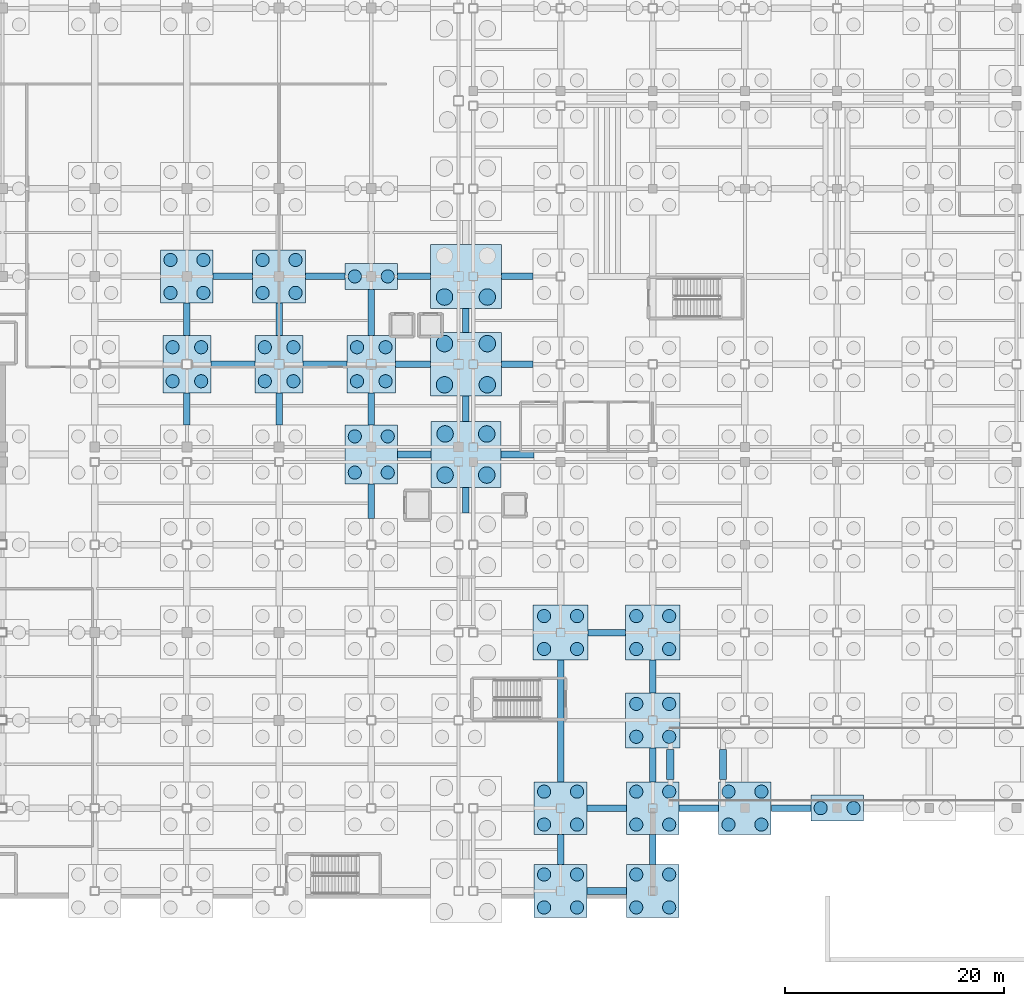
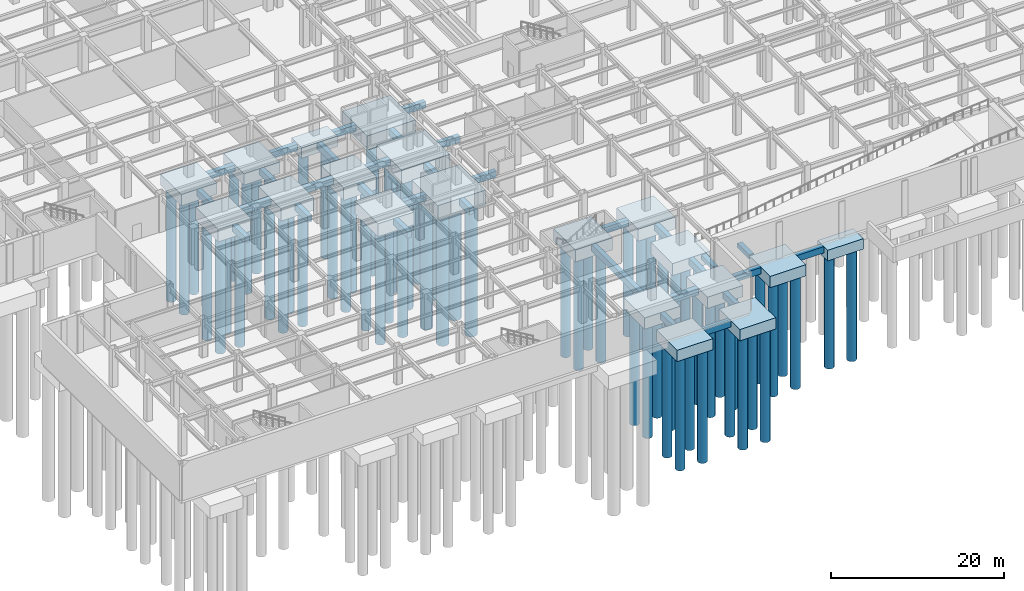
# One storey, part 3 of 55: 70 piles, 51 footings.
"""IFC4 building model written with IfcOpenShell, lengths in metres."""

from ifc_helpers import new_model, si_unit, direction, frame, origin, origin_2d, place, context, subcontext, project, spatial, polyline, rectangle, circle, outline, extrude, material, layer, layer_set, material_profile, profile_set, type_object, element, save


model = new_model("IFC4")

# Units and contexts
model_context = context("Model", 3, precision=1e-05, world=origin(), true_north=direction((0.0, 1.0)))
body_context = subcontext(model_context, "Body", "Model", "MODEL_VIEW")
ifc_project = project(units=[si_unit("LENGTHUNIT", "METRE"), si_unit("AREAUNIT", "SQUARE_METRE"), si_unit("VOLUMEUNIT", "CUBIC_METRE"), si_unit("PLANEANGLEUNIT", "RADIAN"), si_unit("MASSUNIT", "GRAM", prefix="KILO")], contexts=[model_context])

# Site, building, storey
site_placement = place(None, origin())
site = spatial("IfcSite", under=ifc_project, at=site_placement, CompositionType="ELEMENT")
building_placement = place(site_placement, origin())
building = spatial("IfcBuilding", under=site, at=building_placement, Name="Kazehara Bluff Congress Hotel", CompositionType="ELEMENT")
storey_placement = place(building_placement, frame((0.0, 0.0, -5.39990234375)))
storey = spatial("IfcBuildingStorey", under=building, at=storey_placement, Name="B1", CompositionType="ELEMENT", Elevation=-5.39990234375)

# Footings
ifc_material_1 = material(Name="Concrete C36/45", Category="concrete")
ifc_material_profile_1 = material_profile(ifc_material_1, rectangle(XDim=0.60009765625, YDim=0.89990234375, at=origin_2d()))
ifc_profile_set_1 = profile_set([ifc_material_profile_1], Name="Concrete C36/45")
footing_type_1 = type_object("IfcFootingType", Name="TP-FB-01", PredefinedType="FOOTING_BEAM", material=ifc_profile_set_1)
for number, where, z_axis, x_axis, name in (
    (1, (70.050048828125, 0.449951171875, -0.9501953125), (1.0, 0.0, 0.0), (0.0, 1.0, 0.0), "Foundation tie beam FB-01 5"),
    (2, (70.050048828125, 8.0, -0.9501953125), (1.0, 0.0, 0.0), (0.0, 1.0, 0.0), "Foundation tie beam FB-01 16"),
):
    element("IfcFooting", number, at=place(storey_placement, frame(where, z_axis=z_axis, x_axis=x_axis)), inside=storey, type_object=footing_type_1, Name=name, PredefinedType="FOOTING_BEAM", context=body_context, shape_type="SweptSolid", body=[
        extrude(rectangle(XDim=0.60009765625, YDim=0.89990234375, at=origin_2d()), origin(), (0.0, 0.0, 1.0), 3.599853515625),
    ])
footing_1_placement = place(storey_placement, frame((78.449951171875, 8.0, -0.9501953125), z_axis=(1.0, 0.0, 0.0), x_axis=(0.0, 1.0, 0.0)))
element("IfcFooting", 3, at=footing_1_placement, inside=storey, type_object=footing_type_1, Name="Foundation tie beam FB-01 17", PredefinedType="FOOTING_BEAM", context=body_context, shape_type="SweptSolid", body=[
    extrude(rectangle(XDim=0.60009765625, YDim=0.89990234375, at=origin_2d()), origin(), (0.0, 0.0, 1.0), 3.60009765625),
])
footing_2_placement = place(storey_placement, frame((86.85009765625, 8.0, -0.9501953125), z_axis=(1.0, 0.0, 0.0), x_axis=(0.0, 1.0, 0.0)))
element("IfcFooting", 4, at=footing_2_placement, inside=storey, type_object=footing_type_1, Name="Foundation tie beam FB-01 18", PredefinedType="FOOTING_BEAM", context=body_context, shape_type="SweptSolid", body=[
    extrude(rectangle(XDim=0.60009765625, YDim=0.89990234375, at=origin_2d()), origin(), (0.0, 0.0, 1.0), 3.599853515625),
])
footing_3_placement = place(storey_placement, frame((70.14990234375, 24.0, -0.9501953125), z_axis=(1.0, 0.0, 0.0), x_axis=(0.0, 1.0, 0.0)))
element("IfcFooting", 5, at=footing_3_placement, inside=storey, type_object=footing_type_1, Name="Foundation tie beam FB-01 52", PredefinedType="FOOTING_BEAM", context=body_context, shape_type="SweptSolid", body=[
    extrude(rectangle(XDim=0.60009765625, YDim=0.89990234375, at=origin_2d()), origin(), (0.0, 0.0, 1.0), 3.400146484375),
])
for number, where, z_axis, x_axis, name in (
    (6, (52.800048828125, 40.22509765625, -0.9501953125), (1.0, 0.0, 0.0), (0.0, 1.0, 0.0), "Foundation tie beam FB-01 87"),
    (7, (62.22509765625, 40.22509765625, -0.9501953125), (1.0, 0.0, 0.0), (0.0, 1.0, 0.0), "Foundation tie beam FB-01 88"),
):
    element("IfcFooting", number, at=place(storey_placement, frame(where, z_axis=z_axis, x_axis=x_axis)), inside=storey, type_object=footing_type_1, Name=name, PredefinedType="FOOTING_BEAM", context=body_context, shape_type="SweptSolid", body=[
        extrude(rectangle(XDim=0.60009765625, YDim=0.89990234375, at=origin_2d()), origin(), (0.0, 0.0, 1.0), 3.02490234375),
    ])
for number, where, z_axis, x_axis, name in (
    (8, (35.800048828125, 48.449951171875, -0.9501953125), (1.0, 0.0, 0.0), (0.0, 1.0, 0.0), "Foundation tie beam FB-01 102"),
    (9, (44.199951171875, 48.449951171875, -0.9501953125), (1.0, 0.0, 0.0), (0.0, 1.0, 0.0), "Foundation tie beam FB-01 103"),
):
    element("IfcFooting", number, at=place(storey_placement, frame(where, z_axis=z_axis, x_axis=x_axis)), inside=storey, type_object=footing_type_1, Name=name, PredefinedType="FOOTING_BEAM", context=body_context, shape_type="SweptSolid", body=[
        extrude(rectangle(XDim=0.60009765625, YDim=0.89990234375, at=origin_2d()), origin(), (0.0, 0.0, 1.0), 4.0),
    ])
footing_4_placement = place(storey_placement, frame((52.60009765625, 48.449951171875, -0.9501953125), z_axis=(1.0, 0.0, 0.0), x_axis=(0.0, 1.0, 0.0)))
element("IfcFooting", 10, at=footing_4_placement, inside=storey, type_object=footing_type_1, Name="Foundation tie beam FB-01 104", PredefinedType="FOOTING_BEAM", context=body_context, shape_type="SweptSolid", body=[
    extrude(rectangle(XDim=0.60009765625, YDim=0.89990234375, at=origin_2d()), origin(), (0.0, 0.0, 1.0), 3.199951171875),
])
footing_5_placement = place(storey_placement, frame((62.25, 48.449951171875, -0.9501953125), z_axis=(1.0, 0.0, 0.0), x_axis=(0.0, 1.0, 0.0)))
element("IfcFooting", 11, at=footing_5_placement, inside=storey, type_object=footing_type_1, Name="Foundation tie beam FB-01 105", PredefinedType="FOOTING_BEAM", context=body_context, shape_type="SweptSolid", body=[
    extrude(rectangle(XDim=0.60009765625, YDim=0.89990234375, at=origin_2d()), origin(), (0.0, 0.0, 1.0), 2.89990234375),
])
for number, where, z_axis, x_axis, name in (
    (12, (36.0, 56.449951171875, -0.9501953125), (1.0, 0.0, 0.0), (0.0, 1.0, 0.0), "Foundation tie beam FB-01 118"),
    (13, (44.39990234375, 56.449951171875, -0.9501953125), (1.0, 0.0, 0.0), (0.0, 1.0, 0.0), "Foundation tie beam FB-01 119"),
):
    element("IfcFooting", number, at=place(storey_placement, frame(where, z_axis=z_axis, x_axis=x_axis)), inside=storey, type_object=footing_type_1, Name=name, PredefinedType="FOOTING_BEAM", context=body_context, shape_type="SweptSolid", body=[
        extrude(rectangle(XDim=0.60009765625, YDim=0.89990234375, at=origin_2d()), origin(), (0.0, 0.0, 1.0), 3.60009765625),
    ])
footing_6_placement = place(storey_placement, frame((52.800048828125, 56.449951171875, -0.9501953125), z_axis=(1.0, 0.0, 0.0), x_axis=(0.0, 1.0, 0.0)))
element("IfcFooting", 14, at=footing_6_placement, inside=storey, type_object=footing_type_1, Name="Foundation tie beam FB-01 120", PredefinedType="FOOTING_BEAM", context=body_context, shape_type="SweptSolid", body=[
    extrude(rectangle(XDim=0.60009765625, YDim=0.89990234375, at=origin_2d()), origin(), (0.0, 0.0, 1.0), 3.0),
])
footing_7_placement = place(storey_placement, frame((62.25, 56.449951171875, -0.9501953125), z_axis=(1.0, 0.0, 0.0), x_axis=(0.0, 1.0, 0.0)))
element("IfcFooting", 15, at=footing_7_placement, inside=storey, type_object=footing_type_1, Name="Foundation tie beam FB-01 121", PredefinedType="FOOTING_BEAM", context=body_context, shape_type="SweptSolid", body=[
    extrude(rectangle(XDim=0.60009765625, YDim=0.89990234375, at=origin_2d()), origin(), (0.0, 0.0, 1.0), 2.89990234375),
])
footing_8_placement = place(storey_placement, frame((33.60009765625, 42.925048828125, -0.9501953125), z_axis=(0.0, 1.0, 0.0), x_axis=(-1.0, 0.0, 0.0)))
element("IfcFooting", 16, at=footing_8_placement, inside=storey, type_object=footing_type_1, Name="Foundation tie beam FB-01 299", PredefinedType="FOOTING_BEAM", context=body_context, shape_type="SweptSolid", body=[
    extrude(rectangle(XDim=0.60009765625, YDim=0.89990234375, at=origin_2d()), origin(), (0.0, 0.0, 1.0), 2.925048828125),
])
footing_9_placement = place(storey_placement, frame((33.60009765625, 51.050048828125, -0.9501953125), z_axis=(0.0, 1.0, 0.0), x_axis=(-1.0, 0.0, 0.0)))
element("IfcFooting", 17, at=footing_9_placement, inside=storey, type_object=footing_type_1, Name="Foundation tie beam FB-01 300", PredefinedType="FOOTING_BEAM", context=body_context, shape_type="SweptSolid", body=[
    extrude(rectangle(XDim=0.60009765625, YDim=0.89990234375, at=origin_2d()), origin(), (0.0, 0.0, 1.0), 3.0),
])
footing_10_placement = place(storey_placement, frame((42.0, 42.925048828125, -0.9501953125), z_axis=(0.0, 1.0, 0.0), x_axis=(-1.0, 0.0, 0.0)))
element("IfcFooting", 18, at=footing_10_placement, inside=storey, type_object=footing_type_1, Name="Foundation tie beam FB-01 312", PredefinedType="FOOTING_BEAM", context=body_context, shape_type="SweptSolid", body=[
    extrude(rectangle(XDim=0.60009765625, YDim=0.89990234375, at=origin_2d()), origin(), (0.0, 0.0, 1.0), 2.925048828125),
])
footing_11_placement = place(storey_placement, frame((42.0, 51.050048828125, -0.9501953125), z_axis=(0.0, 1.0, 0.0), x_axis=(-1.0, 0.0, 0.0)))
element("IfcFooting", 19, at=footing_11_placement, inside=storey, type_object=footing_type_1, Name="Foundation tie beam FB-01 313", PredefinedType="FOOTING_BEAM", context=body_context, shape_type="SweptSolid", body=[
    extrude(rectangle(XDim=0.60009765625, YDim=0.89990234375, at=origin_2d()), origin(), (0.0, 0.0, 1.0), 3.0),
])
footing_12_placement = place(storey_placement, frame((50.39990234375, 34.39990234375, -0.9501953125), z_axis=(0.0, 1.0, 0.0), x_axis=(-1.0, 0.0, 0.0)))
element("IfcFooting", 20, at=footing_12_placement, inside=storey, type_object=footing_type_1, Name="Foundation tie beam FB-01 322", PredefinedType="FOOTING_BEAM", context=body_context, shape_type="SweptSolid", body=[
    extrude(rectangle(XDim=0.60009765625, YDim=0.89990234375, at=origin_2d()), origin(), (0.0, 0.0, 1.0), 3.125),
])
footing_13_placement = place(storey_placement, frame((50.39990234375, 42.925048828125, -0.9501953125), z_axis=(0.0, 1.0, 0.0), x_axis=(-1.0, 0.0, 0.0)))
element("IfcFooting", 21, at=footing_13_placement, inside=storey, type_object=footing_type_1, Name="Foundation tie beam FB-01 323", PredefinedType="FOOTING_BEAM", context=body_context, shape_type="SweptSolid", body=[
    extrude(rectangle(XDim=0.60009765625, YDim=0.89990234375, at=origin_2d()), origin(), (0.0, 0.0, 1.0), 2.925048828125),
])
footing_14_placement = place(storey_placement, frame((50.39990234375, 51.050048828125, -0.9501953125), z_axis=(0.0, 1.0, 0.0), x_axis=(-1.0, 0.0, 0.0)))
element("IfcFooting", 22, at=footing_14_placement, inside=storey, type_object=footing_type_1, Name="Foundation tie beam FB-01 324", PredefinedType="FOOTING_BEAM", context=body_context, shape_type="SweptSolid", body=[
    extrude(rectangle(XDim=0.60009765625, YDim=0.89990234375, at=origin_2d()), origin(), (0.0, 0.0, 1.0), 4.224853515625),
])
footing_15_placement = place(storey_placement, frame((59.02490234375, 34.89990234375, -0.9501953125), z_axis=(0.0, 1.0, 0.0), x_axis=(-1.0, 0.0, 0.0)))
element("IfcFooting", 23, at=footing_15_placement, inside=storey, type_object=footing_type_1, Name="Foundation tie beam FB-01 331", PredefinedType="FOOTING_BEAM", context=body_context, shape_type="SweptSolid", body=[
    extrude(rectangle(XDim=0.60009765625, YDim=0.89990234375, at=origin_2d()), origin(), (0.0, 0.0, 1.0), 2.3251953125),
])
footing_16_placement = place(storey_placement, frame((59.02490234375, 43.22509765625, -0.9501953125), z_axis=(0.0, 1.0, 0.0), x_axis=(-1.0, 0.0, 0.0)))
element("IfcFooting", 24, at=footing_16_placement, inside=storey, type_object=footing_type_1, Name="Foundation tie beam FB-01 332", PredefinedType="FOOTING_BEAM", context=body_context, shape_type="SweptSolid", body=[
    extrude(rectangle(XDim=0.60009765625, YDim=0.89990234375, at=origin_2d()), origin(), (0.0, 0.0, 1.0), 2.324951171875),
])
footing_17_placement = place(storey_placement, frame((59.02490234375, 51.35009765625, -0.9501953125), z_axis=(0.0, 1.0, 0.0), x_axis=(-1.0, 0.0, 0.0)))
element("IfcFooting", 25, at=footing_17_placement, inside=storey, type_object=footing_type_1, Name="Foundation tie beam FB-01 333", PredefinedType="FOOTING_BEAM", context=body_context, shape_type="SweptSolid", body=[
    extrude(rectangle(XDim=0.60009765625, YDim=0.89990234375, at=origin_2d()), origin(), (0.0, 0.0, 1.0), 2.199951171875),
])
footing_18_placement = place(storey_placement, frame((67.64990234375, 2.85009765625, -0.9501953125), z_axis=(0.0, 1.0, 0.0), x_axis=(-1.0, 0.0, 0.0)))
element("IfcFooting", 26, at=footing_18_placement, inside=storey, type_object=footing_type_1, Name="Foundation tie beam FB-01 338", PredefinedType="FOOTING_BEAM", context=body_context, shape_type="SweptSolid", body=[
    extrude(rectangle(XDim=0.60009765625, YDim=0.89990234375, at=origin_2d()), origin(), (0.0, 0.0, 1.0), 2.75),
])
footing_19_placement = place(storey_placement, frame((67.64990234375, 10.39990234375, -0.9501953125), z_axis=(0.0, 1.0, 0.0), x_axis=(-1.0, 0.0, 0.0)))
element("IfcFooting", 27, at=footing_19_placement, inside=storey, type_object=footing_type_1, Name="Foundation tie beam FB-01 339", PredefinedType="FOOTING_BEAM", context=body_context, shape_type="SweptSolid", body=[
    extrude(rectangle(XDim=0.60009765625, YDim=0.89990234375, at=origin_2d()), origin(), (0.0, 0.0, 1.0), 11.10009765625),
])
footing_20_placement = place(storey_placement, frame((76.050048828125, 2.85009765625, -0.9501953125), z_axis=(0.0, 1.0, 0.0), x_axis=(-1.0, 0.0, 0.0)))
element("IfcFooting", 28, at=footing_20_placement, inside=storey, type_object=footing_type_1, Name="Foundation tie beam FB-01 351", PredefinedType="FOOTING_BEAM", context=body_context, shape_type="SweptSolid", body=[
    extrude(rectangle(XDim=0.60009765625, YDim=0.89990234375, at=origin_2d()), origin(), (0.0, 0.0, 1.0), 2.75),
])
footing_21_placement = place(storey_placement, frame((76.050048828125, 10.39990234375, -0.9501953125), z_axis=(0.0, 1.0, 0.0), x_axis=(-1.0, 0.0, 0.0)))
element("IfcFooting", 29, at=footing_21_placement, inside=storey, type_object=footing_type_1, Name="Foundation tie beam FB-01 352", PredefinedType="FOOTING_BEAM", context=body_context, shape_type="SweptSolid", body=[
    extrude(rectangle(XDim=0.60009765625, YDim=0.89990234375, at=origin_2d()), origin(), (0.0, 0.0, 1.0), 3.10009765625),
])
footing_22_placement = place(storey_placement, frame((76.050048828125, 18.5, -0.9501953125), z_axis=(0.0, 1.0, 0.0), x_axis=(-1.0, 0.0, 0.0)))
element("IfcFooting", 30, at=footing_22_placement, inside=storey, type_object=footing_type_1, Name="Foundation tie beam FB-01 353", PredefinedType="FOOTING_BEAM", context=body_context, shape_type="SweptSolid", body=[
    extrude(rectangle(XDim=0.60009765625, YDim=0.89990234375, at=origin_2d()), origin(), (0.0, 0.0, 1.0), 3.0),
])
ifc_material_2 = material(Name="Concrete C36/45", Category="concrete")
ifc_layer_1 = layer(ifc_material_2, 1.5)
ifc_layer_set_1 = layer_set([ifc_layer_1], Name="Concrete C36/45")
footing_type_2 = type_object("IfcFootingType", Name="TP-PC-02", PredefinedType="PILE_CAP", material=ifc_layer_set_1)
for number, where, z_axis, x_axis, name in (
    (31, (50.39990234375, 56.449951171875, -2.0), (0.0, 0.0, 1.0), (1.0, 0.0, 0.0), "Pile cap PC-02 93"),
    (32, (92.85009765625, 8.0, -2.0), (0.0, 0.0, 1.0), (1.0, 0.0, 0.0), "Pile cap PC-02 157"),
):
    element("IfcFooting", number, at=place(storey_placement, frame(where, z_axis=z_axis, x_axis=x_axis)), inside=storey, type_object=footing_type_2, Name=name, PredefinedType="PILE_CAP", context=body_context, shape_type="SweptSolid", body=[
        extrude(rectangle(XDim=4.800048828125, YDim=2.35009765625, at=origin_2d()), origin(), (0.0, 0.0, 1.0), 1.5),
    ])
ifc_material_3 = material(Name="Concrete C36/45", Category="concrete")
ifc_layer_2 = layer(ifc_material_3, 1.60009765625)
ifc_layer_set_2 = layer_set([ifc_layer_2], Name="Concrete C36/45")
footing_type_3 = type_object("IfcFootingType", Name="TP-PC-04", PredefinedType="PILE_CAP", material=ifc_layer_set_2)
for number, where, z_axis, x_axis, name in (
    (33, (33.60009765625, 56.449951171875, -2.10009765625), (0.0, 0.0, 1.0), (1.0, 0.0, 0.0), "Pile cap PC-04 64"),
    (34, (42.0, 56.449951171875, -2.10009765625), (0.0, 0.0, 1.0), (1.0, 0.0, 0.0), "Pile cap PC-04 79"),
    (35, (67.64990234375, 0.449951171875, -2.10009765625), (0.0, 0.0, 1.0), (1.0, 0.0, 0.0), "Pile cap PC-04 115"),
    (36, (67.64990234375, 8.0, -2.10009765625), (0.0, 0.0, 1.0), (1.0, 0.0, 0.0), "Pile cap PC-04 116"),
    (37, (76.050048828125, 0.449951171875, -2.10009765625), (0.0, 0.0, 1.0), (1.0, 0.0, 0.0), "Pile cap PC-04 129"),
    (38, (76.050048828125, 8.0, -2.10009765625), (0.0, 0.0, 1.0), (1.0, 0.0, 0.0), "Pile cap PC-04 130"),
    (39, (84.449951171875, 8.0, -2.10009765625), (0.0, 0.0, 1.0), (1.0, 0.0, 0.0), "Pile cap PC-04 144"),
):
    element("IfcFooting", number, at=place(storey_placement, frame(where, z_axis=z_axis, x_axis=x_axis)), inside=storey, type_object=footing_type_3, Name=name, PredefinedType="PILE_CAP", context=body_context, shape_type="SweptSolid", body=[
        extrude(rectangle(XDim=4.800048828125, YDim=4.800048828125, at=origin_2d()), origin(), (0.0, 0.0, 1.0), 1.60009765625),
    ])
ifc_material_4 = material(Name="Concrete C36/45", Category="concrete")
ifc_layer_3 = layer(ifc_material_4, 1.699951171875)
ifc_layer_set_3 = layer_set([ifc_layer_3], Name="Concrete C36/45")
footing_type_4 = type_object("IfcFootingType", Name="TP-PC-05", PredefinedType="PILE_CAP", material=ifc_layer_set_3)
for number, where, z_axis, x_axis, name in (
    (40, (67.64990234375, 24.0, -2.2001953125), (0.0, 0.0, 1.0), (1.0, 0.0, 0.0), "Pile cap PC-05 117"),
    (41, (76.050048828125, 16.0, -2.2001953125), (0.0, 0.0, 1.0), (1.0, 0.0, 0.0), "Pile cap PC-05 131"),
    (42, (76.050048828125, 24.0, -2.2001953125), (0.0, 0.0, 1.0), (1.0, 0.0, 0.0), "Pile cap PC-05 132"),
):
    element("IfcFooting", number, at=place(storey_placement, frame(where, z_axis=z_axis, x_axis=x_axis)), inside=storey, type_object=footing_type_4, Name=name, PredefinedType="PILE_CAP", context=body_context, shape_type="SweptSolid", body=[
        extrude(rectangle(XDim=5.0, YDim=5.0, at=origin_2d()), origin(), (0.0, 0.0, 1.0), 1.699951171875),
    ])
ifc_material_5 = material(Name="Concrete C36/45", Category="concrete")
ifc_layer_4 = layer(ifc_material_5, 1.800048828125)
ifc_layer_set_4 = layer_set([ifc_layer_4], Name="Concrete C36/45")
footing_type_5 = type_object("IfcFootingType", Name="TP-PC-06", PredefinedType="PILE_CAP", material=ifc_layer_set_4)
for number, where, z_axis, x_axis, name in (
    (43, (33.60009765625, 48.449951171875, -2.30029296875), (0.0, 0.0, 1.0), (1.0, 0.0, 0.0), "Pile cap PC-06 63"),
    (44, (42.0, 48.449951171875, -2.30029296875), (0.0, 0.0, 1.0), (1.0, 0.0, 0.0), "Pile cap PC-06 78"),
    (45, (50.39990234375, 48.449951171875, -2.30029296875), (0.0, 0.0, 1.0), (1.0, 0.0, 0.0), "Pile cap PC-06 92"),
):
    element("IfcFooting", number, at=place(storey_placement, frame(where, z_axis=z_axis, x_axis=x_axis)), inside=storey, type_object=footing_type_5, Name=name, PredefinedType="PILE_CAP", context=body_context, shape_type="SweptSolid", body=[
        extrude(rectangle(XDim=4.39990234375, YDim=5.199951171875, at=origin_2d()), origin(), (0.0, 0.0, 1.0), 1.800048828125),
    ])
ifc_material_6 = material(Name="Concrete C36/45", Category="concrete")
ifc_layer_5 = layer(ifc_material_6, 1.800048828125)
ifc_layer_set_5 = layer_set([ifc_layer_5], Name="Concrete C36/45")
footing_type_6 = type_object("IfcFootingType", Name="TP-PC-08", PredefinedType="PILE_CAP", material=ifc_layer_set_5)
footing_23_placement = place(storey_placement, frame((50.39990234375, 40.22509765625, -2.30029296875), z_axis=(0.0, 0.0, 1.0), x_axis=(1.0, 0.0, 0.0)))
element("IfcFooting", 46, at=footing_23_placement, inside=storey, type_object=footing_type_6, Name="Pile cap PC-08 91", PredefinedType="PILE_CAP", context=body_context, shape_type="SweptSolid", body=[
    extrude(rectangle(XDim=4.800048828125, YDim=5.39990234375, at=origin_2d()), origin(), (0.0, 0.0, 1.0), 1.800048828125),
])
ifc_material_7 = material(Name="Concrete C36/45", Category="concrete")
ifc_layer_6 = layer(ifc_material_7, 2.0)
ifc_layer_set_6 = layer_set([ifc_layer_6], Name="Concrete C36/45")
footing_type_7 = type_object("IfcFootingType", Name="TP-PC-11", PredefinedType="PILE_CAP", material=ifc_layer_set_6)
for number, where, z_axis, x_axis, name in (
    (47, (59.02490234375, 48.449951171875, -2.5), (0.0, 0.0, 1.0), (1.0, 0.0, 0.0), "Pile cap PC-11 105"),
    (48, (59.02490234375, 56.449951171875, -2.5), (0.0, 0.0, 1.0), (1.0, 0.0, 0.0), "Pile cap PC-11 106"),
):
    element("IfcFooting", number, at=place(storey_placement, frame(where, z_axis=z_axis, x_axis=x_axis)), inside=storey, type_object=footing_type_7, Name=name, PredefinedType="PILE_CAP", context=body_context, shape_type="SweptSolid", body=[
        extrude(rectangle(XDim=6.449951171875, YDim=5.800048828125, at=origin_2d()), origin(), (0.0, 0.0, 1.0), 2.0),
    ])
ifc_material_8 = material(Name="Concrete C36/45", Category="concrete")
ifc_layer_7 = layer(ifc_material_8, 2.10009765625)
ifc_layer_set_7 = layer_set([ifc_layer_7], Name="Concrete C36/45")
footing_type_8 = type_object("IfcFootingType", Name="TP-PC-13", PredefinedType="PILE_CAP", material=ifc_layer_set_7)
footing_24_placement = place(storey_placement, frame((59.02490234375, 40.22509765625, -2.60009765625), z_axis=(0.0, 0.0, 1.0), x_axis=(1.0, 0.0, 0.0)))
element("IfcFooting", 49, at=footing_24_placement, inside=storey, type_object=footing_type_8, Name="Pile cap PC-13 104", PredefinedType="PILE_CAP", context=body_context, shape_type="SweptSolid", body=[
    extrude(rectangle(XDim=6.39990234375, YDim=6.0, at=origin_2d()), origin(), (0.0, 0.0, 1.0), 2.10009765625),
])

# Piles
ifc_material_9 = material(Name="Concrete C36/45", Category="concrete")
ifc_material_profile_2 = material_profile(ifc_material_9, circle(Radius=0.60009765625, at=origin_2d()))
ifc_profile_set_2 = profile_set([ifc_material_profile_2], Name="Concrete C36/45")
pile_type_1 = type_object("IfcPileType", Name="TP-PILE-1200", PredefinedType="BORED", material=ifc_profile_set_2)
for number, where, z_axis, x_axis, name in (
    (50, (32.300048828125, 46.89990234375, -2.2001953125), (0.0, 0.0, -1.0), (1.0, 0.0, 0.0), "Bored pile FND-PC-063-P1"),
    (51, (34.89990234375, 46.89990234375, -2.2001953125), (0.0, 0.0, -1.0), (1.0, 0.0, 0.0), "Bored pile FND-PC-063-P2"),
    (52, (32.300048828125, 50.0, -2.2001953125), (0.0, 0.0, -1.0), (1.0, 0.0, 0.0), "Bored pile FND-PC-063-P3"),
    (53, (34.89990234375, 50.0, -2.2001953125), (0.0, 0.0, -1.0), (1.0, 0.0, 0.0), "Bored pile FND-PC-063-P4"),
):
    element("IfcPile", number, at=place(storey_placement, frame(where, z_axis=z_axis, x_axis=x_axis)), inside=storey, type_object=pile_type_1, Name=name, PredefinedType="BORED", context=body_context, shape_type="SweptSolid", body=[
        extrude(circle(Radius=0.60009765625, at=origin_2d()), origin(), (0.0, 0.0, 1.0), 16.5),
    ])
for number, where, z_axis, x_axis, name in (
    (54, (32.10009765625, 54.949951171875, -2.0), (0.0, 0.0, -1.0), (1.0, 0.0, 0.0), "Bored pile FND-PC-064-P1"),
    (55, (35.10009765625, 54.949951171875, -2.0), (0.0, 0.0, -1.0), (1.0, 0.0, 0.0), "Bored pile FND-PC-064-P2"),
    (56, (32.10009765625, 57.949951171875, -2.0), (0.0, 0.0, -1.0), (1.0, 0.0, 0.0), "Bored pile FND-PC-064-P3"),
    (57, (35.10009765625, 57.949951171875, -2.0), (0.0, 0.0, -1.0), (1.0, 0.0, 0.0), "Bored pile FND-PC-064-P4"),
):
    element("IfcPile", number, at=place(storey_placement, frame(where, z_axis=z_axis, x_axis=x_axis)), inside=storey, type_object=pile_type_1, Name=name, PredefinedType="BORED", context=body_context, shape_type="SweptSolid", body=[
        extrude(circle(Radius=0.60009765625, at=origin_2d()), origin(), (0.0, 0.0, 1.0), 16.0),
    ])
for number, where, z_axis, x_axis, name in (
    (58, (40.699951171875, 46.89990234375, -2.2001953125), (0.0, 0.0, -1.0), (1.0, 0.0, 0.0), "Bored pile FND-PC-078-P1"),
    (59, (43.300048828125, 46.89990234375, -2.2001953125), (0.0, 0.0, -1.0), (1.0, 0.0, 0.0), "Bored pile FND-PC-078-P2"),
    (60, (40.699951171875, 50.0, -2.2001953125), (0.0, 0.0, -1.0), (1.0, 0.0, 0.0), "Bored pile FND-PC-078-P3"),
    (61, (43.300048828125, 50.0, -2.2001953125), (0.0, 0.0, -1.0), (1.0, 0.0, 0.0), "Bored pile FND-PC-078-P4"),
):
    element("IfcPile", number, at=place(storey_placement, frame(where, z_axis=z_axis, x_axis=x_axis)), inside=storey, type_object=pile_type_1, Name=name, PredefinedType="BORED", context=body_context, shape_type="SweptSolid", body=[
        extrude(circle(Radius=0.60009765625, at=origin_2d()), origin(), (0.0, 0.0, 1.0), 16.5),
    ])
for number, where, z_axis, x_axis, name in (
    (62, (40.5, 54.949951171875, -2.0), (0.0, 0.0, -1.0), (1.0, 0.0, 0.0), "Bored pile FND-PC-079-P1"),
    (63, (43.5, 54.949951171875, -2.0), (0.0, 0.0, -1.0), (1.0, 0.0, 0.0), "Bored pile FND-PC-079-P2"),
    (64, (40.5, 57.949951171875, -2.0), (0.0, 0.0, -1.0), (1.0, 0.0, 0.0), "Bored pile FND-PC-079-P3"),
    (65, (43.5, 57.949951171875, -2.0), (0.0, 0.0, -1.0), (1.0, 0.0, 0.0), "Bored pile FND-PC-079-P4"),
    (66, (48.89990234375, 38.574951171875, -2.2001953125), (0.0, 0.0, -1.0), (1.0, 0.0, 0.0), "Bored pile FND-PC-091-P1"),
    (67, (51.89990234375, 38.574951171875, -2.2001953125), (0.0, 0.0, -1.0), (1.0, 0.0, 0.0), "Bored pile FND-PC-091-P2"),
    (68, (48.89990234375, 41.875, -2.2001953125), (0.0, 0.0, -1.0), (1.0, 0.0, 0.0), "Bored pile FND-PC-091-P3"),
    (69, (51.89990234375, 41.875, -2.2001953125), (0.0, 0.0, -1.0), (1.0, 0.0, 0.0), "Bored pile FND-PC-091-P4"),
):
    element("IfcPile", number, at=place(storey_placement, frame(where, z_axis=z_axis, x_axis=x_axis)), inside=storey, type_object=pile_type_1, Name=name, PredefinedType="BORED", context=body_context, shape_type="SweptSolid", body=[
        extrude(circle(Radius=0.60009765625, at=origin_2d()), origin(), (0.0, 0.0, 1.0), 16.0),
    ])
for number, where, z_axis, x_axis, name in (
    (70, (49.10009765625, 46.89990234375, -2.2001953125), (0.0, 0.0, -1.0), (1.0, 0.0, 0.0), "Bored pile FND-PC-092-P1"),
    (71, (51.699951171875, 46.89990234375, -2.2001953125), (0.0, 0.0, -1.0), (1.0, 0.0, 0.0), "Bored pile FND-PC-092-P2"),
    (72, (49.10009765625, 50.0, -2.2001953125), (0.0, 0.0, -1.0), (1.0, 0.0, 0.0), "Bored pile FND-PC-092-P3"),
    (73, (51.699951171875, 50.0, -2.2001953125), (0.0, 0.0, -1.0), (1.0, 0.0, 0.0), "Bored pile FND-PC-092-P4"),
):
    element("IfcPile", number, at=place(storey_placement, frame(where, z_axis=z_axis, x_axis=x_axis)), inside=storey, type_object=pile_type_1, Name=name, PredefinedType="BORED", context=body_context, shape_type="SweptSolid", body=[
        extrude(circle(Radius=0.60009765625, at=origin_2d()), origin(), (0.0, 0.0, 1.0), 16.5),
    ])
for number, where, z_axis, x_axis, name in (
    (74, (48.89990234375, 56.449951171875, -1.900146484375), (0.0, 0.0, -1.0), (1.0, 0.0, 0.0), "Bored pile FND-PC-093-P1"),
    (75, (51.89990234375, 56.449951171875, -1.900146484375), (0.0, 0.0, -1.0), (1.0, 0.0, 0.0), "Bored pile FND-PC-093-P2"),
    (76, (66.14990234375, -1.050048828125, -2.0), (0.0, 0.0, -1.0), (1.0, 0.0, 0.0), "Bored pile FND-PC-115-P1"),
    (77, (69.14990234375, -1.050048828125, -2.0), (0.0, 0.0, -1.0), (1.0, 0.0, 0.0), "Bored pile FND-PC-115-P2"),
    (78, (66.14990234375, 1.949951171875, -2.0), (0.0, 0.0, -1.0), (1.0, 0.0, 0.0), "Bored pile FND-PC-115-P3"),
    (79, (69.14990234375, 1.949951171875, -2.0), (0.0, 0.0, -1.0), (1.0, 0.0, 0.0), "Bored pile FND-PC-115-P4"),
    (80, (66.14990234375, 6.5, -2.0), (0.0, 0.0, -1.0), (1.0, 0.0, 0.0), "Bored pile FND-PC-116-P1"),
    (81, (69.14990234375, 6.5, -2.0), (0.0, 0.0, -1.0), (1.0, 0.0, 0.0), "Bored pile FND-PC-116-P2"),
    (82, (66.14990234375, 9.5, -2.0), (0.0, 0.0, -1.0), (1.0, 0.0, 0.0), "Bored pile FND-PC-116-P3"),
    (83, (69.14990234375, 9.5, -2.0), (0.0, 0.0, -1.0), (1.0, 0.0, 0.0), "Bored pile FND-PC-116-P4"),
    (84, (66.14990234375, 22.5, -2.10009765625), (0.0, 0.0, -1.0), (1.0, 0.0, 0.0), "Bored pile FND-PC-117-P1"),
    (85, (69.14990234375, 22.5, -2.10009765625), (0.0, 0.0, -1.0), (1.0, 0.0, 0.0), "Bored pile FND-PC-117-P2"),
    (86, (66.14990234375, 25.5, -2.10009765625), (0.0, 0.0, -1.0), (1.0, 0.0, 0.0), "Bored pile FND-PC-117-P3"),
    (87, (69.14990234375, 25.5, -2.10009765625), (0.0, 0.0, -1.0), (1.0, 0.0, 0.0), "Bored pile FND-PC-117-P4"),
    (88, (74.550048828125, -1.050048828125, -2.0), (0.0, 0.0, -1.0), (1.0, 0.0, 0.0), "Bored pile FND-PC-129-P1"),
    (89, (77.550048828125, -1.050048828125, -2.0), (0.0, 0.0, -1.0), (1.0, 0.0, 0.0), "Bored pile FND-PC-129-P2"),
    (90, (74.550048828125, 1.949951171875, -2.0), (0.0, 0.0, -1.0), (1.0, 0.0, 0.0), "Bored pile FND-PC-129-P3"),
    (91, (77.550048828125, 1.949951171875, -2.0), (0.0, 0.0, -1.0), (1.0, 0.0, 0.0), "Bored pile FND-PC-129-P4"),
    (92, (74.550048828125, 6.5, -2.0), (0.0, 0.0, -1.0), (1.0, 0.0, 0.0), "Bored pile FND-PC-130-P1"),
    (93, (77.550048828125, 6.5, -2.0), (0.0, 0.0, -1.0), (1.0, 0.0, 0.0), "Bored pile FND-PC-130-P2"),
    (94, (74.550048828125, 9.5, -2.0), (0.0, 0.0, -1.0), (1.0, 0.0, 0.0), "Bored pile FND-PC-130-P3"),
    (95, (77.550048828125, 9.5, -2.0), (0.0, 0.0, -1.0), (1.0, 0.0, 0.0), "Bored pile FND-PC-130-P4"),
    (96, (74.550048828125, 14.5, -2.10009765625), (0.0, 0.0, -1.0), (1.0, 0.0, 0.0), "Bored pile FND-PC-131-P1"),
    (97, (77.550048828125, 14.5, -2.10009765625), (0.0, 0.0, -1.0), (1.0, 0.0, 0.0), "Bored pile FND-PC-131-P2"),
    (98, (74.550048828125, 17.5, -2.10009765625), (0.0, 0.0, -1.0), (1.0, 0.0, 0.0), "Bored pile FND-PC-131-P3"),
    (99, (77.550048828125, 17.5, -2.10009765625), (0.0, 0.0, -1.0), (1.0, 0.0, 0.0), "Bored pile FND-PC-131-P4"),
    (100, (74.550048828125, 22.5, -2.10009765625), (0.0, 0.0, -1.0), (1.0, 0.0, 0.0), "Bored pile FND-PC-132-P1"),
    (101, (77.550048828125, 22.5, -2.10009765625), (0.0, 0.0, -1.0), (1.0, 0.0, 0.0), "Bored pile FND-PC-132-P2"),
    (102, (74.550048828125, 25.5, -2.10009765625), (0.0, 0.0, -1.0), (1.0, 0.0, 0.0), "Bored pile FND-PC-132-P3"),
    (103, (77.550048828125, 25.5, -2.10009765625), (0.0, 0.0, -1.0), (1.0, 0.0, 0.0), "Bored pile FND-PC-132-P4"),
    (104, (82.949951171875, 6.5, -2.0), (0.0, 0.0, -1.0), (1.0, 0.0, 0.0), "Bored pile FND-PC-144-P1"),
    (105, (85.949951171875, 6.5, -2.0), (0.0, 0.0, -1.0), (1.0, 0.0, 0.0), "Bored pile FND-PC-144-P2"),
    (106, (82.949951171875, 9.5, -2.0), (0.0, 0.0, -1.0), (1.0, 0.0, 0.0), "Bored pile FND-PC-144-P3"),
    (107, (85.949951171875, 9.5, -2.0), (0.0, 0.0, -1.0), (1.0, 0.0, 0.0), "Bored pile FND-PC-144-P4"),
    (108, (91.35009765625, 8.0, -1.900146484375), (0.0, 0.0, -1.0), (1.0, 0.0, 0.0), "Bored pile FND-PC-157-P1"),
    (109, (94.35009765625, 8.0, -1.900146484375), (0.0, 0.0, -1.0), (1.0, 0.0, 0.0), "Bored pile FND-PC-157-P2"),
):
    element("IfcPile", number, at=place(storey_placement, frame(where, z_axis=z_axis, x_axis=x_axis)), inside=storey, type_object=pile_type_1, Name=name, PredefinedType="BORED", context=body_context, shape_type="SweptSolid", body=[
        extrude(circle(Radius=0.60009765625, at=origin_2d()), origin(), (0.0, 0.0, 1.0), 16.0),
    ])
ifc_material_10 = material(Name="Concrete C36/45", Category="concrete")
ifc_material_profile_3 = material_profile(ifc_material_10, circle(Radius=0.75, at=origin_2d()))
ifc_profile_set_3 = profile_set([ifc_material_profile_3], Name="Concrete C36/45")
pile_type_2 = type_object("IfcPileType", Name="TP-PILE-1500", PredefinedType="BORED", material=ifc_profile_set_3)
for number, where, z_axis, x_axis, name in (
    (110, (57.125, 38.35009765625, -2.5), (0.0, 0.0, -1.0), (1.0, 0.0, 0.0), "Bored pile FND-PC-104-P1"),
    (111, (60.925048828125, 38.35009765625, -2.5), (0.0, 0.0, -1.0), (1.0, 0.0, 0.0), "Bored pile FND-PC-104-P2"),
    (112, (57.125, 42.10009765625, -2.5), (0.0, 0.0, -1.0), (1.0, 0.0, 0.0), "Bored pile FND-PC-104-P3"),
    (113, (60.925048828125, 42.10009765625, -2.5), (0.0, 0.0, -1.0), (1.0, 0.0, 0.0), "Bored pile FND-PC-104-P4"),
    (114, (57.074951171875, 46.574951171875, -2.400146484375), (0.0, 0.0, -1.0), (1.0, 0.0, 0.0), "Bored pile FND-PC-105-P1"),
    (115, (60.97509765625, 46.574951171875, -2.400146484375), (0.0, 0.0, -1.0), (1.0, 0.0, 0.0), "Bored pile FND-PC-105-P2"),
    (116, (57.074951171875, 50.324951171875, -2.400146484375), (0.0, 0.0, -1.0), (1.0, 0.0, 0.0), "Bored pile FND-PC-105-P3"),
    (117, (60.97509765625, 50.324951171875, -2.400146484375), (0.0, 0.0, -1.0), (1.0, 0.0, 0.0), "Bored pile FND-PC-105-P4"),
    (118, (57.074951171875, 54.574951171875, -2.400146484375), (0.0, 0.0, -1.0), (1.0, 0.0, 0.0), "Bored pile FND-PC-106-P1"),
    (119, (60.97509765625, 54.574951171875, -2.400146484375), (0.0, 0.0, -1.0), (1.0, 0.0, 0.0), "Bored pile FND-PC-106-P2"),
):
    element("IfcPile", number, at=place(storey_placement, frame(where, z_axis=z_axis, x_axis=x_axis)), inside=storey, type_object=pile_type_2, Name=name, PredefinedType="BORED", context=body_context, shape_type="SweptSolid", body=[
        extrude(circle(Radius=0.75, at=origin_2d()), origin(), (0.0, 0.0, 1.0), 18.5),
    ])

# Footings
ifc_material_11 = material(Name="Concrete C36/45", Category="concrete")
footing_type_9 = type_object("IfcFootingType", Name="TP-SF-RMP", PredefinedType="STRIP_FOOTING", material=ifc_material_11)
footing_25_placement = place(storey_placement, frame((0.0, 0.0, -1.10009765625)))
element("IfcFooting", 120, at=footing_25_placement, inside=storey, type_object=footing_type_9, Name="Ramp pier strip footing 1", PredefinedType="STRIP_FOOTING", context=body_context, shape_type="SweptSolid", body=[
    extrude(outline(polyline([(77.324951171875, 10.60009765625), (77.97509765625, 10.60009765625), (77.97509765625, 13.35009765625), (77.324951171875, 13.35009765625), (77.324951171875, 10.60009765625)])), origin(), (0.0, 0.0, 1.0), 0.60009765625),
])
footing_26_placement = place(storey_placement, frame((0.0, 0.0, -1.10009765625)))
element("IfcFooting", 121, at=footing_26_placement, inside=storey, type_object=footing_type_9, Name="Ramp pier strip footing 2", PredefinedType="STRIP_FOOTING", context=body_context, shape_type="SweptSolid", body=[
    extrude(outline(polyline([(82.125, 10.60009765625), (82.77490234375, 10.60009765625), (82.77490234375, 13.35009765625), (82.125, 13.35009765625), (82.125, 10.60009765625)])), origin(), (0.0, 0.0, 1.0), 0.60009765625),
])

save(model, "model.ifc")
